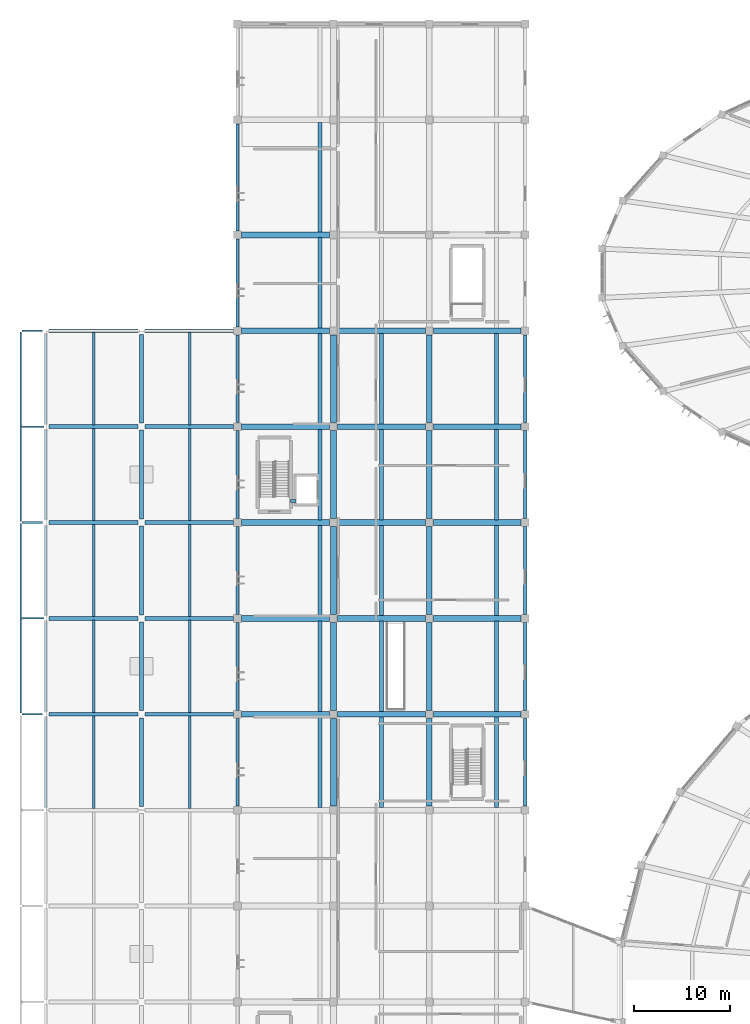
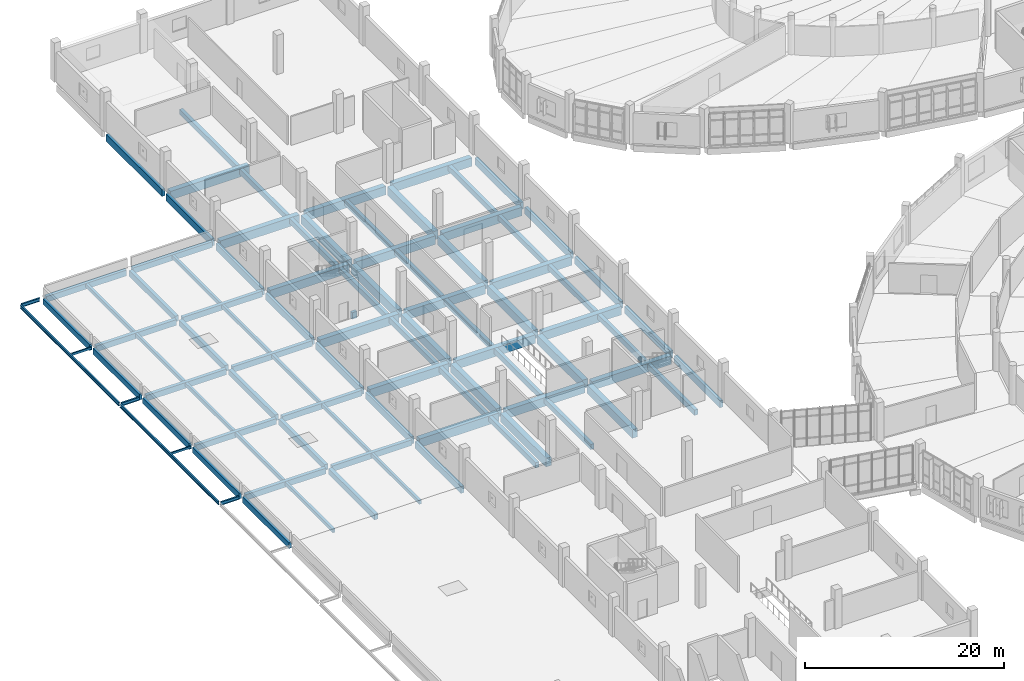
# One storey, part 22 of 179: 91 beams, 2 members.
"""IFC4 building model written with IfcOpenShell, lengths in metres."""

from ifc_helpers import new_model, si_unit, direction, frame, origin, origin_2d, place, context, subcontext, project, spatial, rectangle, hollow_rectangle, i_section, extrude, material, material_profile, profile_set, type_object, element, save


model = new_model("IFC4")

# Units and contexts
model_context = context("Model", 3, precision=1e-05, world=origin(), true_north=direction((0.0, 1.0)))
body_context = subcontext(model_context, "Body", "Model", "MODEL_VIEW")
ifc_project = project(units=[si_unit("LENGTHUNIT", "METRE"), si_unit("AREAUNIT", "SQUARE_METRE"), si_unit("VOLUMEUNIT", "CUBIC_METRE"), si_unit("PLANEANGLEUNIT", "RADIAN"), si_unit("MASSUNIT", "GRAM", prefix="KILO")], contexts=[model_context])

# Site, building, storey
site_placement = place(None, origin())
site = spatial("IfcSite", under=ifc_project, at=site_placement, CompositionType="ELEMENT")
building_placement = place(site_placement, origin())
building = spatial("IfcBuilding", under=site, at=building_placement, Name="Corvandel Quay Wholesale Market", CompositionType="ELEMENT")
storey_placement = place(building_placement, frame((0.0, 0.0, 6.0)))
storey = spatial("IfcBuildingStorey", under=building, at=storey_placement, Name="L01", CompositionType="ELEMENT", Elevation=6.0)

# Members
ifc_material_1 = material(Name="Steel A500 Grade C", Category="steel")
ifc_material_profile_1 = material_profile(ifc_material_1, hollow_rectangle(XDim=0.152099609375, YDim=0.25390625, WallThickness=0.0087890625, at=origin_2d()), Name="HSS10X6X3/8")
ifc_profile_set_1 = profile_set([ifc_material_profile_1], Name="Steel A500 Grade C")
member_type = type_object("IfcMemberType", Name="Canopy Outrigger Rafter RF04 HSS10X6", PredefinedType="RAFTER", material=ifc_profile_set_1)
for number, where, z_axis, x_axis, name in (
    (1, (-0.179931640625, 80.0, -0.35009765625), (-1.0, 0.0, 0.0), (0.0, -1.0, 0.0), "Member MEM-0119"),
    (2, (-0.179931640625, 100.0, -0.35009765625), (-1.0, 0.0, 0.0), (0.0, -1.0, 0.0), "Member MEM-0120"),
):
    element("IfcMember", number, at=place(storey_placement, frame(where, z_axis=z_axis, x_axis=x_axis)), inside=storey, type_object=member_type, Name=name, PredefinedType="RAFTER", context=body_context, shape_type="SweptSolid", body=[
        extrude(hollow_rectangle(XDim=0.152099609375, YDim=0.25390625, WallThickness=0.0087890625, at=origin_2d()), origin(), (0.0, 0.0, 1.0), 2.300048828125),
    ])

# Beams
ifc_material_2 = material(Name="Steel A992 Grade 50", Category="steel")
ifc_material_profile_2 = material_profile(ifc_material_2, i_section(OverallWidth=0.177978515625, OverallDepth=0.406005859375, WebThickness=0.0078125, FlangeThickness=0.0126953125, at=origin_2d()), Name="W16X40")
ifc_profile_set_2 = profile_set([ifc_material_profile_2], Name="Steel A992 Grade 50")
beam_type_1 = type_object("IfcBeamType", Name="Canopy Steel Edge Beam SB01 W16X40", PredefinedType="BEAM", material=ifc_profile_set_2)
for number, where, z_axis, x_axis, name in (
    (3, (-2.4775390625, 70.0, -0.403076171875), (1.0, 0.0, 0.0), (0.0, 1.0, 0.0), "Beam BM-0988"),
    (4, (-2.4775390625, 90.0, -0.403076171875), (1.0, 0.0, 0.0), (0.0, 1.0, 0.0), "Beam BM-0989"),
    (5, (-2.4775390625, 110.0, -0.403076171875), (1.0, 0.0, 0.0), (0.0, 1.0, 0.0), "Beam BM-0990"),
):
    element("IfcBeam", number, at=place(storey_placement, frame(where, z_axis=z_axis, x_axis=x_axis)), inside=storey, type_object=beam_type_1, Name=name, PredefinedType="BEAM", context=body_context, shape_type="SweptSolid", body=[
        extrude(i_section(OverallWidth=0.177978515625, OverallDepth=0.406005859375, WebThickness=0.0078125, FlangeThickness=0.0126953125, at=origin_2d()), origin(), (0.0, 0.0, 1.0), 2.132568359375),
    ])
for number, where, z_axis, x_axis, name in (
    (6, (-2.60009765625, 70.12255859375, -0.403076171875), (0.0, 1.0, 0.0), (-1.0, 0.0, 0.0), "Beam BM-0994"),
    (7, (-2.60009765625, 90.12255859375, -0.403076171875), (0.0, 1.0, 0.0), (-1.0, 0.0, 0.0), "Beam BM-0995"),
):
    element("IfcBeam", number, at=place(storey_placement, frame(where, z_axis=z_axis, x_axis=x_axis)), inside=storey, type_object=beam_type_1, Name=name, PredefinedType="BEAM", context=body_context, shape_type="SweptSolid", body=[
        extrude(i_section(OverallWidth=0.177978515625, OverallDepth=0.406005859375, WebThickness=0.0078125, FlangeThickness=0.0126953125, at=origin_2d()), origin(), (0.0, 0.0, 1.0), 19.7548828125),
    ])
ifc_material_3 = material(Name="Precast concrete C45/55", Category="concrete")
ifc_material_profile_3 = material_profile(ifc_material_3, rectangle(XDim=0.60009765625, YDim=1.050048828125, at=origin_2d()), Name="PC-GIR-600x1050")
ifc_profile_set_3 = profile_set([ifc_material_profile_3], Name="Precast concrete C45/55")
beam_type_2 = type_object("IfcBeamType", Name="Cold Store Primary Girder G01 600x1050", PredefinedType="USERDEFINED", material=ifc_profile_set_3)
for number, where, z_axis, x_axis, name in (
    (8, (20.419921875, 70.0, -0.885009765625), (1.0, 0.0, 0.0), (0.0, 1.0, 0.0), "Beam BM-1034"),
    (9, (30.419921875, 70.0, -0.885009765625), (1.0, 0.0, 0.0), (0.0, 1.0, 0.0), "Beam BM-1035"),
    (10, (40.419921875, 70.0, -0.885009765625), (1.0, 0.0, 0.0), (0.0, 1.0, 0.0), "Beam BM-1036"),
    (11, (20.419921875, 80.0, -0.885009765625), (1.0, 0.0, 0.0), (0.0, 1.0, 0.0), "Beam BM-1037"),
    (12, (30.419921875, 80.0, -0.885009765625), (1.0, 0.0, 0.0), (0.0, 1.0, 0.0), "Beam BM-1038"),
    (13, (40.419921875, 80.0, -0.885009765625), (1.0, 0.0, 0.0), (0.0, 1.0, 0.0), "Beam BM-1039"),
    (14, (20.419921875, 90.0, -0.885009765625), (1.0, 0.0, 0.0), (0.0, 1.0, 0.0), "Beam BM-1040"),
    (15, (30.419921875, 90.0, -0.885009765625), (1.0, 0.0, 0.0), (0.0, 1.0, 0.0), "Beam BM-1041"),
    (16, (40.419921875, 90.0, -0.885009765625), (1.0, 0.0, 0.0), (0.0, 1.0, 0.0), "Beam BM-1042"),
    (17, (20.419921875, 100.0, -0.885009765625), (1.0, 0.0, 0.0), (0.0, 1.0, 0.0), "Beam BM-1043"),
    (18, (30.419921875, 100.0, -0.885009765625), (1.0, 0.0, 0.0), (0.0, 1.0, 0.0), "Beam BM-1044"),
    (19, (40.419921875, 100.0, -0.885009765625), (1.0, 0.0, 0.0), (0.0, 1.0, 0.0), "Beam BM-1045"),
    (20, (20.419921875, 110.0, -0.885009765625), (1.0, 0.0, 0.0), (0.0, 1.0, 0.0), "Beam BM-1046"),
    (21, (30.419921875, 110.0, -0.885009765625), (1.0, 0.0, 0.0), (0.0, 1.0, 0.0), "Beam BM-1047"),
    (22, (40.419921875, 110.0, -0.885009765625), (1.0, 0.0, 0.0), (0.0, 1.0, 0.0), "Beam BM-1048"),
    (23, (20.419921875, 120.0, -0.885009765625), (1.0, 0.0, 0.0), (0.0, 1.0, 0.0), "Beam BM-1049"),
    (24, (30.0, 60.419921875, -0.885009765625), (0.0, 1.0, 0.0), (-1.0, 0.0, 0.0), "Beam BM-1076"),
    (25, (30.0, 70.419921875, -0.885009765625), (0.0, 1.0, 0.0), (-1.0, 0.0, 0.0), "Beam BM-1077"),
    (26, (30.0, 80.419921875, -0.885009765625), (0.0, 1.0, 0.0), (-1.0, 0.0, 0.0), "Beam BM-1078"),
    (27, (30.0, 90.419921875, -0.885009765625), (0.0, 1.0, 0.0), (-1.0, 0.0, 0.0), "Beam BM-1079"),
    (28, (30.0, 100.419921875, -0.885009765625), (0.0, 1.0, 0.0), (-1.0, 0.0, 0.0), "Beam BM-1080"),
    (29, (40.0, 60.419921875, -0.885009765625), (0.0, 1.0, 0.0), (-1.0, 0.0, 0.0), "Beam BM-1089"),
    (30, (40.0, 70.419921875, -0.885009765625), (0.0, 1.0, 0.0), (-1.0, 0.0, 0.0), "Beam BM-1090"),
    (31, (40.0, 80.419921875, -0.885009765625), (0.0, 1.0, 0.0), (-1.0, 0.0, 0.0), "Beam BM-1091"),
    (32, (40.0, 90.419921875, -0.885009765625), (0.0, 1.0, 0.0), (-1.0, 0.0, 0.0), "Beam BM-1092"),
    (33, (40.0, 100.419921875, -0.885009765625), (0.0, 1.0, 0.0), (-1.0, 0.0, 0.0), "Beam BM-1093"),
):
    element("IfcBeam", number, at=place(storey_placement, frame(where, z_axis=z_axis, x_axis=x_axis)), inside=storey, type_object=beam_type_2, Name=name, ObjectType="GIRDER", PredefinedType="USERDEFINED", context=body_context, shape_type="SweptSolid", body=[
        extrude(rectangle(XDim=0.60009765625, YDim=1.050048828125, at=origin_2d()), origin(), (0.0, 0.0, 1.0), 9.16015625),
    ])
ifc_material_profile_4 = material_profile(ifc_material_3, rectangle(XDim=0.39990234375, YDim=0.64990234375, at=origin_2d()), Name="PC-BM-400x650")
ifc_profile_set_4 = profile_set([ifc_material_profile_4], Name="Precast concrete C45/55")
beam_type_3 = type_object("IfcBeamType", Name="Cold Store Secondary Beam B01 400x650", PredefinedType="BEAM", material=ifc_profile_set_4)
for number, where, z_axis, x_axis, name in (
    (34, (28.60009765625, 60.2900390625, -0.68505859375), (0.0, 1.0, 0.0), (-1.0, 0.0, 0.0), "Beam BM-1115"),
    (35, (28.60009765625, 70.2900390625, -0.68505859375), (0.0, 1.0, 0.0), (-1.0, 0.0, 0.0), "Beam BM-1116"),
    (36, (28.60009765625, 80.2900390625, -0.68505859375), (0.0, 1.0, 0.0), (-1.0, 0.0, 0.0), "Beam BM-1117"),
    (37, (28.60009765625, 90.2900390625, -0.68505859375), (0.0, 1.0, 0.0), (-1.0, 0.0, 0.0), "Beam BM-1118"),
    (38, (28.60009765625, 100.2900390625, -0.68505859375), (0.0, 1.0, 0.0), (-1.0, 0.0, 0.0), "Beam BM-1119"),
    (39, (28.60009765625, 110.2900390625, -0.68505859375), (0.0, 1.0, 0.0), (-1.0, 0.0, 0.0), "Beam BM-1120"),
):
    element("IfcBeam", number, at=place(storey_placement, frame(where, z_axis=z_axis, x_axis=x_axis)), inside=storey, type_object=beam_type_3, Name=name, PredefinedType="BEAM", context=body_context, shape_type="SweptSolid", body=[
        extrude(rectangle(XDim=0.39990234375, YDim=0.64990234375, at=origin_2d()), origin(), (0.0, 0.0, 1.0), 9.419921875),
    ])
beam_1_placement = place(storey_placement, frame((28.60009765625, 120.2900390625, -0.68505859375), z_axis=(0.0, 1.0, 0.0), x_axis=(-1.0, 0.0, 0.0)))
element("IfcBeam", 40, at=beam_1_placement, inside=storey, type_object=beam_type_3, Name="Beam BM-1121", PredefinedType="BEAM", context=body_context, shape_type="SweptSolid", body=[
    extrude(rectangle(XDim=0.39990234375, YDim=0.64990234375, at=origin_2d()), origin(), (0.0, 0.0, 1.0), 11.419921875),
])
for number, where, z_axis, x_axis, name in (
    (41, (35.0, 60.2900390625, -0.68505859375), (0.0, 1.0, 0.0), (-1.0, 0.0, 0.0), "Beam BM-1128"),
    (42, (35.0, 70.2900390625, -0.68505859375), (0.0, 1.0, 0.0), (-1.0, 0.0, 0.0), "Beam BM-1129"),
    (43, (35.0, 80.2900390625, -0.68505859375), (0.0, 1.0, 0.0), (-1.0, 0.0, 0.0), "Beam BM-1130"),
    (44, (35.0, 90.2900390625, -0.68505859375), (0.0, 1.0, 0.0), (-1.0, 0.0, 0.0), "Beam BM-1131"),
    (45, (35.0, 100.2900390625, -0.68505859375), (0.0, 1.0, 0.0), (-1.0, 0.0, 0.0), "Beam BM-1132"),
    (46, (47.0, 60.2900390625, -0.68505859375), (0.0, 1.0, 0.0), (-1.0, 0.0, 0.0), "Beam BM-1141"),
    (47, (47.0, 70.2900390625, -0.68505859375), (0.0, 1.0, 0.0), (-1.0, 0.0, 0.0), "Beam BM-1142"),
    (48, (47.0, 80.2900390625, -0.68505859375), (0.0, 1.0, 0.0), (-1.0, 0.0, 0.0), "Beam BM-1143"),
    (49, (47.0, 90.2900390625, -0.68505859375), (0.0, 1.0, 0.0), (-1.0, 0.0, 0.0), "Beam BM-1144"),
    (50, (47.0, 100.2900390625, -0.68505859375), (0.0, 1.0, 0.0), (-1.0, 0.0, 0.0), "Beam BM-1145"),
):
    element("IfcBeam", number, at=place(storey_placement, frame(where, z_axis=z_axis, x_axis=x_axis)), inside=storey, type_object=beam_type_3, Name=name, PredefinedType="BEAM", context=body_context, shape_type="SweptSolid", body=[
        extrude(rectangle(XDim=0.39990234375, YDim=0.64990234375, at=origin_2d()), origin(), (0.0, 0.0, 1.0), 9.419921875),
    ])
ifc_material_4 = material(Name="Concrete C40/50", Category="concrete")
ifc_material_profile_5 = material_profile(ifc_material_4, rectangle(XDim=0.35009765625, YDim=0.800048828125, at=origin_2d()), Name="RC-CPL-350x800")
ifc_profile_set_5 = profile_set([ifc_material_profile_5], Name="Concrete C40/50")
beam_type_4 = type_object("IfcBeamType", Name="Core Shear Wall Coupling Beam CP01 350x800", PredefinedType="BEAM", material=ifc_profile_set_5)
beam_2_placement = place(storey_placement, frame((25.52490234375, 92.25, -0.64990234375), z_axis=(1.0, 0.0, 0.0), x_axis=(0.0, 1.0, 0.0)))
element("IfcBeam", 51, at=beam_2_placement, inside=storey, type_object=beam_type_4, Name="Core Coupling Beam K5-L01", PredefinedType="BEAM", context=body_context, shape_type="SweptSolid", body=[
    extrude(rectangle(XDim=0.35009765625, YDim=0.800048828125, at=origin_2d()), origin(), (0.0, 0.0, 1.0), 0.550048828125),
])
ifc_material_profile_6 = material_profile(ifc_material_3, rectangle(XDim=0.35009765625, YDim=0.85009765625, at=origin_2d()), Name="PC-SPN-350x850")
ifc_profile_set_6 = profile_set([ifc_material_profile_6], Name="Precast concrete C45/55")
beam_type_5 = type_object("IfcBeamType", Name="Perimeter Precast Spandrel SP01 350x850", PredefinedType="SPANDREL", material=ifc_profile_set_6)
for number, where, z_axis, x_axis, name in (
    (52, (20.0, 60.419921875, -0.784912109375), (0.0, 1.0, 0.0), (-1.0, 0.0, 0.0), "Beam BM-1063"),
    (53, (20.0, 70.419921875, -0.784912109375), (0.0, 1.0, 0.0), (-1.0, 0.0, 0.0), "Beam BM-1064"),
    (54, (20.0, 80.419921875, -0.784912109375), (0.0, 1.0, 0.0), (-1.0, 0.0, 0.0), "Beam BM-1065"),
    (55, (20.0, 90.419921875, -0.784912109375), (0.0, 1.0, 0.0), (-1.0, 0.0, 0.0), "Beam BM-1066"),
    (56, (20.0, 100.419921875, -0.784912109375), (0.0, 1.0, 0.0), (-1.0, 0.0, 0.0), "Beam BM-1067"),
    (57, (20.0, 110.419921875, -0.784912109375), (0.0, 1.0, 0.0), (-1.0, 0.0, 0.0), "Beam BM-1068"),
):
    element("IfcBeam", number, at=place(storey_placement, frame(where, z_axis=z_axis, x_axis=x_axis)), inside=storey, type_object=beam_type_5, Name=name, PredefinedType="SPANDREL", context=body_context, shape_type="SweptSolid", body=[
        extrude(rectangle(XDim=0.35009765625, YDim=0.85009765625, at=origin_2d()), origin(), (0.0, 0.0, 1.0), 9.16015625),
    ])
beam_3_placement = place(storey_placement, frame((20.0, 120.419921875, -0.784912109375), z_axis=(0.0, 1.0, 0.0), x_axis=(-1.0, 0.0, 0.0)))
element("IfcBeam", 58, at=beam_3_placement, inside=storey, type_object=beam_type_5, Name="Beam BM-1069", PredefinedType="SPANDREL", context=body_context, shape_type="SweptSolid", body=[
    extrude(rectangle(XDim=0.35009765625, YDim=0.85009765625, at=origin_2d()), origin(), (0.0, 0.0, 1.0), 11.16015625),
])
for number, where, z_axis, x_axis, name in (
    (59, (50.0, 60.419921875, -0.784912109375), (0.0, 1.0, 0.0), (-1.0, 0.0, 0.0), "Beam BM-1102"),
    (60, (50.0, 70.419921875, -0.784912109375), (0.0, 1.0, 0.0), (-1.0, 0.0, 0.0), "Beam BM-1103"),
    (61, (50.0, 80.419921875, -0.784912109375), (0.0, 1.0, 0.0), (-1.0, 0.0, 0.0), "Beam BM-1104"),
    (62, (50.0, 90.419921875, -0.784912109375), (0.0, 1.0, 0.0), (-1.0, 0.0, 0.0), "Beam BM-1105"),
    (63, (50.0, 100.419921875, -0.784912109375), (0.0, 1.0, 0.0), (-1.0, 0.0, 0.0), "Beam BM-1106"),
):
    element("IfcBeam", number, at=place(storey_placement, frame(where, z_axis=z_axis, x_axis=x_axis)), inside=storey, type_object=beam_type_5, Name=name, PredefinedType="SPANDREL", context=body_context, shape_type="SweptSolid", body=[
        extrude(rectangle(XDim=0.35009765625, YDim=0.85009765625, at=origin_2d()), origin(), (0.0, 0.0, 1.0), 9.16015625),
    ])
ifc_material_profile_7 = material_profile(ifc_material_3, rectangle(XDim=0.39990234375, YDim=0.699951171875, at=origin_2d()), Name="PC-GIR-400x700")
ifc_profile_set_7 = profile_set([ifc_material_profile_7], Name="Precast concrete C45/55")
beam_type_6 = type_object("IfcBeamType", Name="Roof Deck Primary Girder G07 400x700", PredefinedType="USERDEFINED", material=ifc_profile_set_7)
beam_4_placement = place(storey_placement, frame((0.344970703125, 70.0, -0.550048828125), z_axis=(1.0, 0.0, 0.0), x_axis=(0.0, 1.0, 0.0)))
element("IfcBeam", 64, at=beam_4_placement, inside=storey, type_object=beam_type_6, Name="Beam BM-0955", ObjectType="GIRDER", PredefinedType="USERDEFINED", context=body_context, shape_type="SweptSolid", body=[
    extrude(rectangle(XDim=0.39990234375, YDim=0.699951171875, at=origin_2d()), origin(), (0.0, 0.0, 1.0), 9.284912109375),
])
beam_5_placement = place(storey_placement, frame((10.3701171875, 70.0, -0.550048828125), z_axis=(1.0, 0.0, 0.0), x_axis=(0.0, 1.0, 0.0)))
element("IfcBeam", 65, at=beam_5_placement, inside=storey, type_object=beam_type_6, Name="Beam BM-0956", ObjectType="GIRDER", PredefinedType="USERDEFINED", context=body_context, shape_type="SweptSolid", body=[
    extrude(rectangle(XDim=0.39990234375, YDim=0.699951171875, at=origin_2d()), origin(), (0.0, 0.0, 1.0), 9.2099609375),
])
beam_6_placement = place(storey_placement, frame((0.344970703125, 80.0, -0.550048828125), z_axis=(1.0, 0.0, 0.0), x_axis=(0.0, 1.0, 0.0)))
element("IfcBeam", 66, at=beam_6_placement, inside=storey, type_object=beam_type_6, Name="Beam BM-0957", ObjectType="GIRDER", PredefinedType="USERDEFINED", context=body_context, shape_type="SweptSolid", body=[
    extrude(rectangle(XDim=0.39990234375, YDim=0.699951171875, at=origin_2d()), origin(), (0.0, 0.0, 1.0), 9.284912109375),
])
beam_7_placement = place(storey_placement, frame((10.3701171875, 80.0, -0.550048828125), z_axis=(1.0, 0.0, 0.0), x_axis=(0.0, 1.0, 0.0)))
element("IfcBeam", 67, at=beam_7_placement, inside=storey, type_object=beam_type_6, Name="Beam BM-0958", ObjectType="GIRDER", PredefinedType="USERDEFINED", context=body_context, shape_type="SweptSolid", body=[
    extrude(rectangle(XDim=0.39990234375, YDim=0.699951171875, at=origin_2d()), origin(), (0.0, 0.0, 1.0), 9.2099609375),
])
beam_8_placement = place(storey_placement, frame((0.344970703125, 90.0, -0.550048828125), z_axis=(1.0, 0.0, 0.0), x_axis=(0.0, 1.0, 0.0)))
element("IfcBeam", 68, at=beam_8_placement, inside=storey, type_object=beam_type_6, Name="Beam BM-0959", ObjectType="GIRDER", PredefinedType="USERDEFINED", context=body_context, shape_type="SweptSolid", body=[
    extrude(rectangle(XDim=0.39990234375, YDim=0.699951171875, at=origin_2d()), origin(), (0.0, 0.0, 1.0), 9.284912109375),
])
beam_9_placement = place(storey_placement, frame((10.3701171875, 90.0, -0.550048828125), z_axis=(1.0, 0.0, 0.0), x_axis=(0.0, 1.0, 0.0)))
element("IfcBeam", 69, at=beam_9_placement, inside=storey, type_object=beam_type_6, Name="Beam BM-0960", ObjectType="GIRDER", PredefinedType="USERDEFINED", context=body_context, shape_type="SweptSolid", body=[
    extrude(rectangle(XDim=0.39990234375, YDim=0.699951171875, at=origin_2d()), origin(), (0.0, 0.0, 1.0), 9.2099609375),
])
beam_10_placement = place(storey_placement, frame((0.344970703125, 100.0, -0.550048828125), z_axis=(1.0, 0.0, 0.0), x_axis=(0.0, 1.0, 0.0)))
element("IfcBeam", 70, at=beam_10_placement, inside=storey, type_object=beam_type_6, Name="Beam BM-0961", ObjectType="GIRDER", PredefinedType="USERDEFINED", context=body_context, shape_type="SweptSolid", body=[
    extrude(rectangle(XDim=0.39990234375, YDim=0.699951171875, at=origin_2d()), origin(), (0.0, 0.0, 1.0), 9.284912109375),
])
beam_11_placement = place(storey_placement, frame((10.3701171875, 100.0, -0.550048828125), z_axis=(1.0, 0.0, 0.0), x_axis=(0.0, 1.0, 0.0)))
element("IfcBeam", 71, at=beam_11_placement, inside=storey, type_object=beam_type_6, Name="Beam BM-0962", ObjectType="GIRDER", PredefinedType="USERDEFINED", context=body_context, shape_type="SweptSolid", body=[
    extrude(rectangle(XDim=0.39990234375, YDim=0.699951171875, at=origin_2d()), origin(), (0.0, 0.0, 1.0), 9.2099609375),
])
beam_12_placement = place(storey_placement, frame((0.344970703125, 110.0, -0.550048828125), z_axis=(1.0, 0.0, 0.0), x_axis=(0.0, 1.0, 0.0)))
element("IfcBeam", 72, at=beam_12_placement, inside=storey, type_object=beam_type_6, Name="Beam BM-0963", ObjectType="GIRDER", PredefinedType="USERDEFINED", context=body_context, shape_type="SweptSolid", body=[
    extrude(rectangle(XDim=0.39990234375, YDim=0.699951171875, at=origin_2d()), origin(), (0.0, 0.0, 1.0), 9.284912109375),
])
beam_13_placement = place(storey_placement, frame((10.3701171875, 110.0, -0.550048828125), z_axis=(1.0, 0.0, 0.0), x_axis=(0.0, 1.0, 0.0)))
element("IfcBeam", 73, at=beam_13_placement, inside=storey, type_object=beam_type_6, Name="Beam BM-0964", ObjectType="GIRDER", PredefinedType="USERDEFINED", context=body_context, shape_type="SweptSolid", body=[
    extrude(rectangle(XDim=0.39990234375, YDim=0.699951171875, at=origin_2d()), origin(), (0.0, 0.0, 1.0), 9.2099609375),
])
for number, where, z_axis, x_axis, name in (
    (74, (10.0, 60.3701171875, -0.550048828125), (0.0, 1.0, 0.0), (-1.0, 0.0, 0.0), "Beam BM-0980"),
    (75, (10.0, 70.3701171875, -0.550048828125), (0.0, 1.0, 0.0), (-1.0, 0.0, 0.0), "Beam BM-0981"),
    (76, (10.0, 80.3701171875, -0.550048828125), (0.0, 1.0, 0.0), (-1.0, 0.0, 0.0), "Beam BM-0982"),
    (77, (10.0, 90.3701171875, -0.550048828125), (0.0, 1.0, 0.0), (-1.0, 0.0, 0.0), "Beam BM-0983"),
    (78, (10.0, 100.3701171875, -0.550048828125), (0.0, 1.0, 0.0), (-1.0, 0.0, 0.0), "Beam BM-0984"),
):
    element("IfcBeam", number, at=place(storey_placement, frame(where, z_axis=z_axis, x_axis=x_axis)), inside=storey, type_object=beam_type_6, Name=name, ObjectType="GIRDER", PredefinedType="USERDEFINED", context=body_context, shape_type="SweptSolid", body=[
        extrude(rectangle(XDim=0.39990234375, YDim=0.699951171875, at=origin_2d()), origin(), (0.0, 0.0, 1.0), 9.259765625),
    ])
ifc_material_profile_8 = material_profile(ifc_material_3, rectangle(XDim=0.280029296875, YDim=0.449951171875, at=origin_2d()), Name="PC-BM-280x450")
ifc_profile_set_8 = profile_set([ifc_material_profile_8], Name="Precast concrete C45/55")
beam_type_7 = type_object("IfcBeamType", Name="Roof Secondary Beam B05 280x450", PredefinedType="BEAM", material=ifc_profile_set_8)
for number, where, z_axis, x_axis, name in (
    (79, (5.0, 60.18994140625, -0.425048828125), (0.0, 1.0, 0.0), (-1.0, 0.0, 0.0), "Beam BM-1006"),
    (80, (15.0, 60.18994140625, -0.425048828125), (0.0, 1.0, 0.0), (-1.0, 0.0, 0.0), "Beam BM-1007"),
    (81, (5.0, 70.18994140625, -0.425048828125), (0.0, 1.0, 0.0), (-1.0, 0.0, 0.0), "Beam BM-1008"),
    (82, (15.0, 70.18994140625, -0.425048828125), (0.0, 1.0, 0.0), (-1.0, 0.0, 0.0), "Beam BM-1009"),
    (83, (5.0, 80.18994140625, -0.425048828125), (0.0, 1.0, 0.0), (-1.0, 0.0, 0.0), "Beam BM-1010"),
    (84, (15.0, 80.18994140625, -0.425048828125), (0.0, 1.0, 0.0), (-1.0, 0.0, 0.0), "Beam BM-1011"),
    (85, (5.0, 90.18994140625, -0.425048828125), (0.0, 1.0, 0.0), (-1.0, 0.0, 0.0), "Beam BM-1012"),
    (86, (15.0, 90.18994140625, -0.425048828125), (0.0, 1.0, 0.0), (-1.0, 0.0, 0.0), "Beam BM-1013"),
    (87, (5.0, 100.18994140625, -0.425048828125), (0.0, 1.0, 0.0), (-1.0, 0.0, 0.0), "Beam BM-1014"),
    (88, (15.0, 100.18994140625, -0.425048828125), (0.0, 1.0, 0.0), (-1.0, 0.0, 0.0), "Beam BM-1015"),
):
    element("IfcBeam", number, at=place(storey_placement, frame(where, z_axis=z_axis, x_axis=x_axis)), inside=storey, type_object=beam_type_7, Name=name, PredefinedType="BEAM", context=body_context, shape_type="SweptSolid", body=[
        extrude(rectangle(XDim=0.280029296875, YDim=0.449951171875, at=origin_2d()), origin(), (0.0, 0.0, 1.0), 9.6201171875),
    ])
ifc_material_profile_9 = material_profile(ifc_material_3, rectangle(XDim=0.300048828125, YDim=0.699951171875, at=origin_2d()), Name="PC-SPN-300x700")
ifc_profile_set_9 = profile_set([ifc_material_profile_9], Name="Precast concrete C45/55")
beam_type_8 = type_object("IfcBeamType", Name="Terrace Edge Spandrel SP03 300x700", PredefinedType="SPANDREL", material=ifc_profile_set_9)
for number, where, z_axis, x_axis, name in (
    (89, (0.0, 60.344970703125, -0.550048828125), (0.0, 1.0, 0.0), (-1.0, 0.0, 0.0), "Beam BM-0970"),
    (90, (0.0, 70.344970703125, -0.550048828125), (0.0, 1.0, 0.0), (-1.0, 0.0, 0.0), "Beam BM-0971"),
    (91, (0.0, 80.344970703125, -0.550048828125), (0.0, 1.0, 0.0), (-1.0, 0.0, 0.0), "Beam BM-0972"),
    (92, (0.0, 90.344970703125, -0.550048828125), (0.0, 1.0, 0.0), (-1.0, 0.0, 0.0), "Beam BM-0973"),
    (93, (0.0, 100.344970703125, -0.550048828125), (0.0, 1.0, 0.0), (-1.0, 0.0, 0.0), "Beam BM-0974"),
):
    element("IfcBeam", number, at=place(storey_placement, frame(where, z_axis=z_axis, x_axis=x_axis)), inside=storey, type_object=beam_type_8, Name=name, PredefinedType="SPANDREL", context=body_context, shape_type="SweptSolid", body=[
        extrude(rectangle(XDim=0.300048828125, YDim=0.699951171875, at=origin_2d()), origin(), (0.0, 0.0, 1.0), 9.31005859375),
    ])

save(model, "model.ifc")
